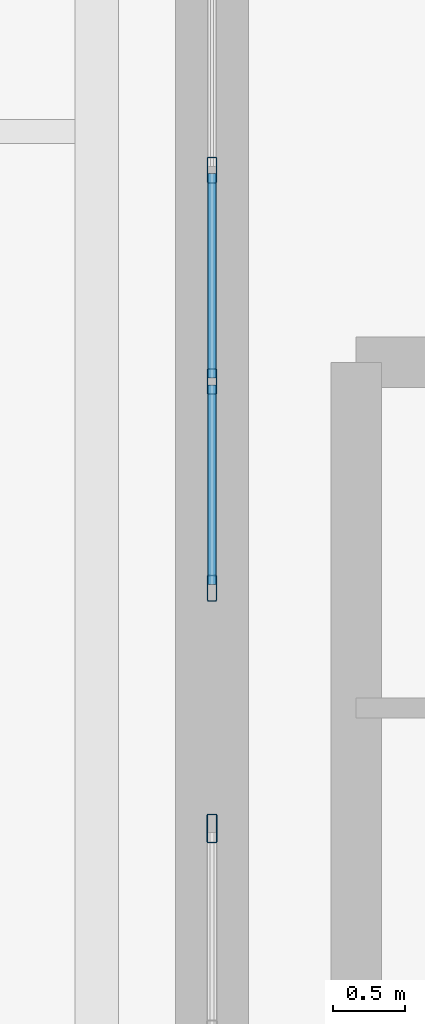
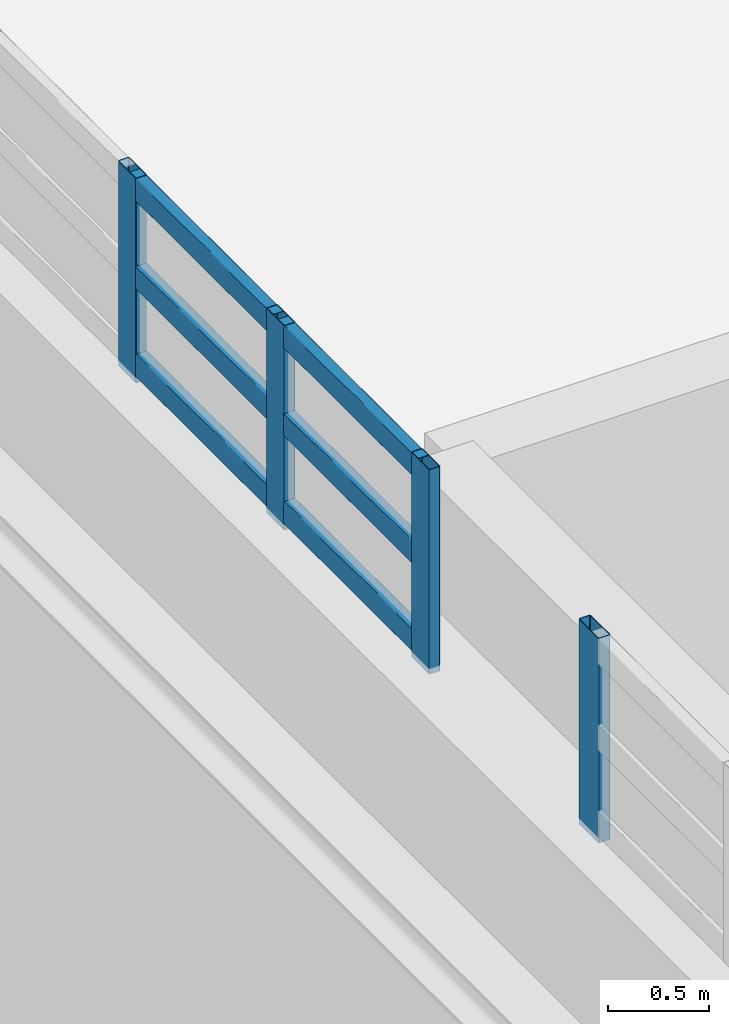
# One storey, part 97 of 197: 10 members, 2 elements without a shape of their own.
"""IFC4 building model written with IfcOpenShell, lengths in metres."""

from ifc_helpers import new_model, si_unit, derived_unit, direction, frame, origin, origin_2d, place, context, subcontext, project, spatial, hollow_rectangle, extrude, material, layer, layer_set, material_profile, profile_set, type_object, element, aggregate, save


model = new_model("IFC4")

# Units and contexts
model_context = context("Model", 3, precision=1e-05, world=origin(), true_north=direction((0.0, 1.0)))
body_context = subcontext(model_context, "Body", "Model", "MODEL_VIEW")
ifc_project = project(units=[si_unit("LENGTHUNIT", "METRE"), si_unit("AREAUNIT", "SQUARE_METRE"), si_unit("VOLUMEUNIT", "CUBIC_METRE"), si_unit("PLANEANGLEUNIT", "RADIAN"), si_unit("MASSUNIT", "GRAM", prefix="KILO"), derived_unit("THERMALTRANSMITTANCEUNIT", [(si_unit("POWERUNIT", "WATT"), 1), (si_unit("LENGTHUNIT", "METRE"), -2), (si_unit("THERMODYNAMICTEMPERATUREUNIT", "KELVIN"), -1)])], contexts=[model_context])

# Site, building, storey
site_placement = place(None, origin())
site = spatial("IfcSite", under=ifc_project, at=site_placement, CompositionType="ELEMENT")
building_placement = place(site_placement, origin())
building = spatial("IfcBuilding", under=site, at=building_placement, Name="Almenara Railside Exhibition Hall", CompositionType="ELEMENT")
storey_placement = place(building_placement, frame((0.0, 0.0, 5.39990234375)))
storey = spatial("IfcBuildingStorey", under=building, at=storey_placement, Name="L01", CompositionType="ELEMENT", Elevation=5.39990234375)

# Curtain wall, members
ifc_material_1 = material(Name="Bronze-anodised aluminium and low-E double glazing", Category="aluminium")
ifc_layer = layer(ifc_material_1, 0.179931640625, Name="Bronze-anodised aluminium and low-E double glazing")
ifc_layer_set = layer_set([ifc_layer], Name="Bronze-anodised aluminium and low-E double glazing")
curtain_wall_type = type_object("IfcCurtainWallType", Name="East Hall Clerestory Curtain Wall 4400x2300", PredefinedType="NOTDEFINED", material=ifc_layer_set)
curtain_wall_1_placement = place(storey_placement, origin())
curtain_wall_1 = element("IfcCurtainWall", 1, at=curtain_wall_1_placement, inside=storey, type_object=curtain_wall_type, Name="Curtain wall CW-CL3-052", PredefinedType="NOTDEFINED")
ifc_material_2 = material(Name="Bronze-anodised aluminium", Category="aluminium")
ifc_material_profile_1 = material_profile(ifc_material_2, hollow_rectangle(XDim=0.06494140625, YDim=0.179931640625, WallThickness=0.00390625, InnerFilletRadius=0.00390625, OuterFilletRadius=0.008056640625, at=origin_2d()), Name="ALU-MUL 65x180x4")
ifc_profile_set_1 = profile_set([ifc_material_profile_1], Name="Bronze-anodised aluminium")
member_type_1 = type_object("IfcMemberType", Name="Curtain Wall Mullion 65x180x4", PredefinedType="MULLION", material=ifc_profile_set_1)
member_1_placement = place(storey_placement, frame((138.0, 41.83251953125, 5.4150390625), z_axis=(0.0, 0.0, 1.0), x_axis=(-1.0, 0.0, 0.0)))
member_1 = element("IfcMember", 2, at=member_1_placement, type_object=member_type_1, Name="CW-CL3-052 mullion 1", PredefinedType="MULLION", context=body_context, shape_type="SweptSolid", body=[
    extrude(hollow_rectangle(XDim=0.06494140625, YDim=0.179931640625, WallThickness=0.00390625, InnerFilletRadius=0.00390625, OuterFilletRadius=0.008056640625, at=origin_2d()), origin(), (0.0, 0.0, 1.0), 1.235107421875),
])
member_2_placement = place(storey_placement, frame((138.0, 43.2666015625, 5.4150390625), z_axis=(0.0, 0.0, 1.0), x_axis=(-1.0, 0.0, 0.0)))
member_2 = element("IfcMember", 3, at=member_2_placement, type_object=member_type_1, Name="CW-CL3-052 mullion 2", PredefinedType="MULLION", context=body_context, shape_type="SweptSolid", body=[
    extrude(hollow_rectangle(XDim=0.06494140625, YDim=0.179931640625, WallThickness=0.00390625, InnerFilletRadius=0.00390625, OuterFilletRadius=0.008056640625, at=origin_2d()), origin(), (0.0, 0.0, 1.0), 1.235107421875),
])
member_3_placement = place(storey_placement, frame((138.0, 44.7333984375, 5.4150390625), z_axis=(0.0, 0.0, 1.0), x_axis=(-1.0, 0.0, 0.0)))
member_3 = element("IfcMember", 4, at=member_3_placement, type_object=member_type_1, Name="CW-CL3-052 mullion 3", PredefinedType="MULLION", context=body_context, shape_type="SweptSolid", body=[
    extrude(hollow_rectangle(XDim=0.06494140625, YDim=0.179931640625, WallThickness=0.00390625, InnerFilletRadius=0.00390625, OuterFilletRadius=0.008056640625, at=origin_2d()), origin(), (0.0, 0.0, 1.0), 1.235107421875),
])

# Curtain wall, member
curtain_wall_2_placement = place(storey_placement, origin())
curtain_wall_2 = element("IfcCurtainWall", 5, at=curtain_wall_2_placement, inside=storey, type_object=curtain_wall_type, Name="Curtain wall CW-CL3-051", PredefinedType="NOTDEFINED")
ifc_material_profile_2 = material_profile(ifc_material_2, hollow_rectangle(XDim=0.070068359375, YDim=0.199951171875, WallThickness=0.00439453125, InnerFilletRadius=0.00439453125, OuterFilletRadius=0.009033203125, at=origin_2d()), Name="ALU-MUL 70x200x4.5")
ifc_profile_set_2 = profile_set([ifc_material_profile_2], Name="Bronze-anodised aluminium")
member_type_2 = type_object("IfcMemberType", Name="Curtain Wall Mullion 70x200x4.5", PredefinedType="MULLION", material=ifc_profile_set_2)
member_4_placement = place(storey_placement, frame((138.0, 40.1650390625, 5.4150390625), z_axis=(0.0, 0.0, 1.0), x_axis=(-1.0, 0.0, 0.0)))
member_4 = element("IfcMember", 6, at=member_4_placement, type_object=member_type_2, Name="CW-CL3-051 mullion 4", PredefinedType="MULLION", context=body_context, shape_type="SweptSolid", body=[
    extrude(hollow_rectangle(XDim=0.070068359375, YDim=0.199951171875, WallThickness=0.00439453125, InnerFilletRadius=0.00439453125, OuterFilletRadius=0.009033203125, at=origin_2d()), origin(), (0.0, 0.0, 1.0), 1.235107421875),
])
aggregate(curtain_wall_2, [member_4])

# Member
ifc_material_profile_3 = material_profile(ifc_material_2, hollow_rectangle(XDim=0.06494140625, YDim=0.139892578125, WallThickness=0.00341796875, InnerFilletRadius=0.00341796875, OuterFilletRadius=0.007080078125, at=origin_2d()), Name="ALU-TRN 65x140x3.5")
ifc_profile_set_3 = profile_set([ifc_material_profile_3], Name="Bronze-anodised aluminium")
member_type_3 = type_object("IfcMemberType", Name="Curtain Wall Transom 65x140x3.5", PredefinedType="USERDEFINED", material=ifc_profile_set_3)
member_5_placement = place(storey_placement, frame((138.0, 41.85693359375, 5.52001953125), z_axis=(0.0, 1.0, 0.0), x_axis=(-1.0, 0.0, 0.0)))
member_5 = element("IfcMember", 7, at=member_5_placement, type_object=member_type_3, Name="CW-CL3-052 transom 1.1", ObjectType="TRANSOM", PredefinedType="USERDEFINED", context=body_context, shape_type="SweptSolid", body=[
    extrude(hollow_rectangle(XDim=0.06494140625, YDim=0.139892578125, WallThickness=0.00341796875, InnerFilletRadius=0.00341796875, OuterFilletRadius=0.007080078125, at=origin_2d()), origin(), (0.0, 0.0, 1.0), 1.38525390625),
])

member_6_placement = place(storey_placement, frame((138.0, 41.85693359375, 6.050048828125), z_axis=(0.0, 1.0, 0.0), x_axis=(-1.0, 0.0, 0.0)))
member_6 = element("IfcMember", 8, at=member_6_placement, type_object=member_type_3, Name="CW-CL3-052 transom 1.2", ObjectType="TRANSOM", PredefinedType="USERDEFINED", context=body_context, shape_type="SweptSolid", body=[
    extrude(hollow_rectangle(XDim=0.06494140625, YDim=0.139892578125, WallThickness=0.00341796875, InnerFilletRadius=0.00341796875, OuterFilletRadius=0.007080078125, at=origin_2d()), origin(), (0.0, 0.0, 1.0), 1.38525390625),
])

member_7_placement = place(storey_placement, frame((138.0, 41.85693359375, 6.580078125), z_axis=(0.0, 1.0, 0.0), x_axis=(-1.0, 0.0, 0.0)))
member_7 = element("IfcMember", 9, at=member_7_placement, type_object=member_type_3, Name="CW-CL3-052 transom 1.3", ObjectType="TRANSOM", PredefinedType="USERDEFINED", context=body_context, shape_type="SweptSolid", body=[
    extrude(hollow_rectangle(XDim=0.06494140625, YDim=0.139892578125, WallThickness=0.00341796875, InnerFilletRadius=0.00341796875, OuterFilletRadius=0.007080078125, at=origin_2d()), origin(), (0.0, 0.0, 1.0), 1.38525390625),
])

member_8_placement = place(storey_placement, frame((138.0, 43.291259765625, 5.52001953125), z_axis=(0.0, 1.0, 0.0), x_axis=(-1.0, 0.0, 0.0)))
member_8 = element("IfcMember", 10, at=member_8_placement, type_object=member_type_3, Name="CW-CL3-052 transom 2.1", ObjectType="TRANSOM", PredefinedType="USERDEFINED", context=body_context, shape_type="SweptSolid", body=[
    extrude(hollow_rectangle(XDim=0.06494140625, YDim=0.139892578125, WallThickness=0.00341796875, InnerFilletRadius=0.00341796875, OuterFilletRadius=0.007080078125, at=origin_2d()), origin(), (0.0, 0.0, 1.0), 1.41748046875),
])

member_9_placement = place(storey_placement, frame((138.0, 43.291259765625, 6.050048828125), z_axis=(0.0, 1.0, 0.0), x_axis=(-1.0, 0.0, 0.0)))
member_9 = element("IfcMember", 11, at=member_9_placement, type_object=member_type_3, Name="CW-CL3-052 transom 2.2", ObjectType="TRANSOM", PredefinedType="USERDEFINED", context=body_context, shape_type="SweptSolid", body=[
    extrude(hollow_rectangle(XDim=0.06494140625, YDim=0.139892578125, WallThickness=0.00341796875, InnerFilletRadius=0.00341796875, OuterFilletRadius=0.007080078125, at=origin_2d()), origin(), (0.0, 0.0, 1.0), 1.41748046875),
])

member_10_placement = place(storey_placement, frame((138.0, 43.291259765625, 6.580078125), z_axis=(0.0, 1.0, 0.0), x_axis=(-1.0, 0.0, 0.0)))
member_10 = element("IfcMember", 12, at=member_10_placement, type_object=member_type_3, Name="CW-CL3-052 transom 2.3", ObjectType="TRANSOM", PredefinedType="USERDEFINED", context=body_context, shape_type="SweptSolid", body=[
    extrude(hollow_rectangle(XDim=0.06494140625, YDim=0.139892578125, WallThickness=0.00341796875, InnerFilletRadius=0.00341796875, OuterFilletRadius=0.007080078125, at=origin_2d()), origin(), (0.0, 0.0, 1.0), 1.41748046875),
])

aggregate(curtain_wall_1, [member_1, member_2, member_3, member_5, member_6, member_7, member_8, member_9, member_10])

save(model, "model.ifc")
